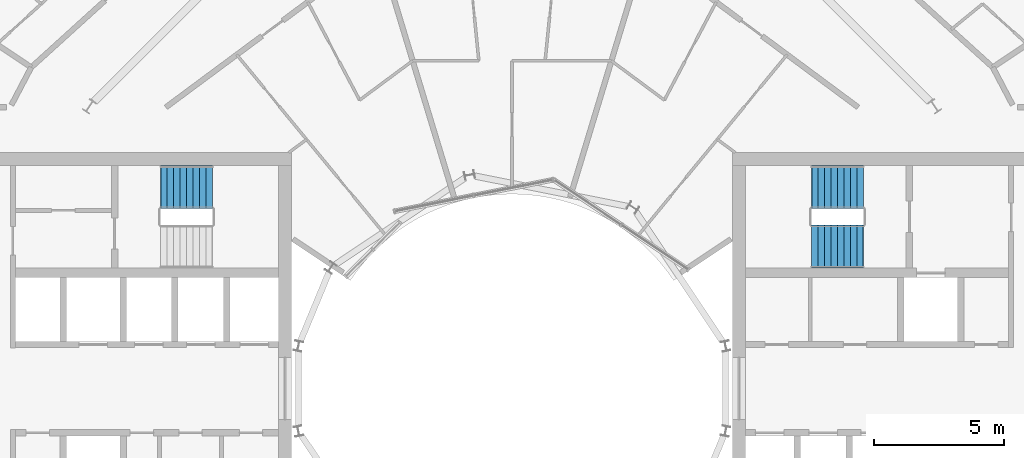
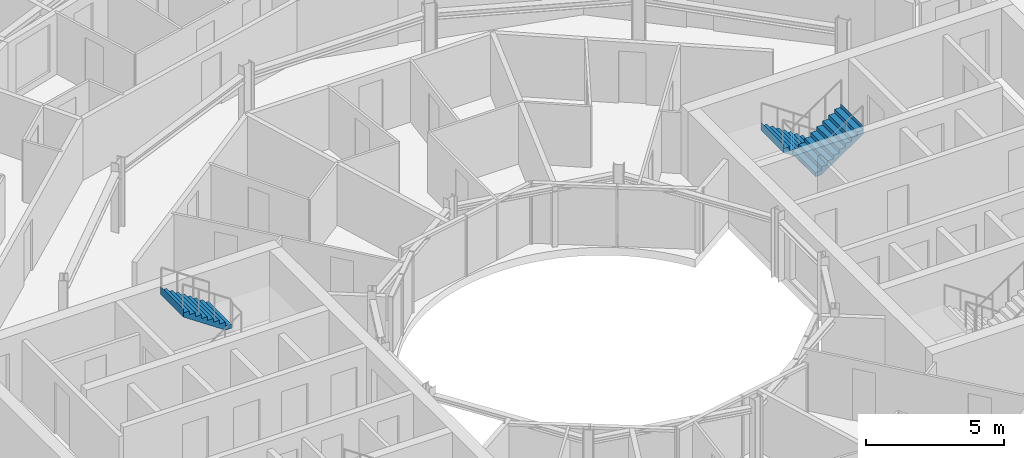
# One storey, part 25 of 26: 3 stair flights, 2 elements without a shape of their own.
"""IFC4 building model written with IfcOpenShell, lengths in metres."""

from ifc_helpers import new_model, si_unit, direction, frame, origin, place, context, subcontext, project, spatial, triangles, material, type_object, element, aggregate, save


model = new_model("IFC4")

# Units and contexts
model_context = context("Model", 3, precision=1e-05, world=origin(), true_north=direction((0.0, 1.0)))
body_context = subcontext(model_context, "Body", "Model", "MODEL_VIEW")
ifc_project = project(units=[si_unit("LENGTHUNIT", "METRE"), si_unit("AREAUNIT", "SQUARE_METRE"), si_unit("VOLUMEUNIT", "CUBIC_METRE"), si_unit("PLANEANGLEUNIT", "RADIAN"), si_unit("MASSUNIT", "GRAM", prefix="KILO")], contexts=[model_context])

# Site, building, storey
site_placement = place(None, origin())
site = spatial("IfcSite", under=ifc_project, at=site_placement, CompositionType="ELEMENT")
building_placement = place(site_placement, origin())
building = spatial("IfcBuilding", under=site, at=building_placement, Name="Maasbend Ring Residences", CompositionType="ELEMENT")
storey_placement = place(building_placement, frame((0.0, 0.0, 154.35009765625)))
storey = spatial("IfcBuildingStorey", under=building, at=storey_placement, Name="L44", CompositionType="ELEMENT", Elevation=154.35009765625)

# Stair, stair flights
ifc_material_1 = material(Name="Concrete C40/50", Category="concrete")
stair_type = type_object("IfcStairType", Name="CORE STAIR 18 RISERS", PredefinedType="HALF_TURN_STAIR", material=ifc_material_1)
stair_1_placement = place(storey_placement, origin())
stair_1 = element("IfcStair", 1, at=stair_1_placement, inside=storey, type_object=stair_type, Name="L44 Exit stair ST-E1", PredefinedType="HALF_TURN_STAIR")
ifc_material_2 = material(Name="Concrete C40/50", Category="concrete")
stair_flight_type = type_object("IfcStairFlightType", Name="CORE STAIR FLIGHT 1650", PredefinedType="STRAIGHT", material=ifc_material_2)
stair_flight_1_placement = place(storey_placement, frame((13.550048828125, 7.77490234375, 0.0), z_axis=(0.0, 0.0, 1.0), x_axis=(-1.0, 0.0, 0.0)))
stair_flight_1 = element("IfcStairFlight", 2, at=stair_flight_1_placement, type_object=stair_flight_type, Name="ST-E1 flight 1", NumberOfRisers=9, NumberOfTreads=8, PredefinedType="STRAIGHT", RiserHeight=0.169444444, TreadLength=0.25, context=body_context, shape_type="Tessellation", body=[
    triangles([(0.24072265625, 0.824951171875, -0.02001953125), (2.0029296875, 0.824951171875, 1.174560546875), (2.0029296875, 0.824951171875, 1.52490234375), (1.989990234375, 0.824951171875, 1.35546875), (1.75, 0.824951171875, 1.35546875), (1.75, 0.824951171875, 1.18603515625), (1.5, 0.824951171875, 1.18603515625), (1.5, 0.824951171875, 1.0166015625), (1.25, 0.824951171875, 1.0166015625), (1.25, 0.824951171875, 0.84716796875), (1.0, 0.824951171875, 0.84716796875), (1.0, 0.824951171875, 0.677734375), (0.75, 0.824951171875, 0.677734375), (0.75, 0.824951171875, 0.50830078125), (0.5, 0.824951171875, 0.50830078125), (0.5, 0.824951171875, 0.3388671875), (0.25, 0.824951171875, 0.3388671875), (0.25, 0.824951171875, 0.16943359375), (0.0, 0.824951171875, 0.16943359375), (0.0, 0.824951171875, 0.0), (-0.0029296875, 0.824951171875, 0.0), (-0.0029296875, 0.824951171875, -0.02001953125), (0.24072265625, 0.27490234375, -0.02001953125), (2.0029296875, 0.27490234375, 1.174560546875), (2.0029296875, 0.27490234375, 1.52490234375), (1.989990234375, 0.27490234375, 1.35546875), (1.75, 0.27490234375, 1.35546875), (1.75, 0.27490234375, 1.18603515625), (1.5, 0.27490234375, 1.18603515625), (1.5, 0.27490234375, 1.0166015625), (1.25, 0.27490234375, 1.0166015625), (1.25, 0.27490234375, 0.84716796875), (1.0, 0.27490234375, 0.84716796875), (1.0, 0.27490234375, 0.677734375), (0.75, 0.27490234375, 0.677734375), (0.75, 0.27490234375, 0.50830078125), (0.5, 0.27490234375, 0.50830078125), (0.5, 0.27490234375, 0.3388671875), (0.25, 0.27490234375, 0.3388671875), (0.25, 0.27490234375, 0.16943359375), (0.0, 0.27490234375, 0.16943359375), (0.0, 0.27490234375, 0.0), (-0.0029296875, 0.27490234375, 0.0), (-0.0029296875, 0.27490234375, -0.02001953125), (0.24072265625, -0.27490234375, -0.02001953125), (2.0029296875, -0.27490234375, 1.174560546875), (2.0029296875, -0.27490234375, 1.52490234375), (1.989990234375, -0.27490234375, 1.35546875), (1.75, -0.27490234375, 1.35546875), (1.75, -0.27490234375, 1.18603515625), (1.5, -0.27490234375, 1.18603515625), (1.5, -0.27490234375, 1.0166015625), (1.25, -0.27490234375, 1.0166015625), (1.25, -0.27490234375, 0.84716796875), (1.0, -0.27490234375, 0.84716796875), (1.0, -0.27490234375, 0.677734375), (0.75, -0.27490234375, 0.677734375), (0.75, -0.27490234375, 0.50830078125), (0.5, -0.27490234375, 0.50830078125), (0.5, -0.27490234375, 0.3388671875), (0.25, -0.27490234375, 0.3388671875), (0.25, -0.27490234375, 0.16943359375), (0.0, -0.27490234375, 0.16943359375), (0.0, -0.27490234375, 0.0), (-0.0029296875, -0.27490234375, 0.0), (-0.0029296875, -0.27490234375, -0.02001953125), (0.24072265625, -0.824951171875, -0.02001953125), (2.0029296875, -0.824951171875, 1.174560546875), (2.0029296875, -0.824951171875, 1.52490234375), (1.989990234375, -0.824951171875, 1.35546875), (1.75, -0.824951171875, 1.35546875), (1.75, -0.824951171875, 1.18603515625), (1.5, -0.824951171875, 1.18603515625), (1.5, -0.824951171875, 1.0166015625), (1.25, -0.824951171875, 1.0166015625), (1.25, -0.824951171875, 0.84716796875), (1.0, -0.824951171875, 0.84716796875), (1.0, -0.824951171875, 0.677734375), (0.75, -0.824951171875, 0.677734375), (0.75, -0.824951171875, 0.50830078125), (0.5, -0.824951171875, 0.50830078125), (0.5, -0.824951171875, 0.3388671875), (0.25, -0.824951171875, 0.3388671875), (0.25, -0.824951171875, 0.16943359375), (0.0, -0.824951171875, 0.16943359375), (0.0, -0.824951171875, 0.0), (-0.0029296875, -0.824951171875, 0.0), (-0.0029296875, -0.824951171875, -0.02001953125)], [[1, 2, 24], [1, 24, 23], [23, 24, 46], [23, 46, 45], [45, 46, 68], [45, 68, 67], [2, 3, 25], [2, 25, 24], [24, 25, 47], [24, 47, 46], [46, 47, 69], [46, 69, 68], [3, 4, 26], [3, 26, 25], [25, 26, 48], [25, 48, 47], [47, 48, 70], [47, 70, 69], [4, 5, 27], [4, 27, 26], [26, 27, 49], [26, 49, 48], [48, 49, 71], [48, 71, 70], [5, 6, 28], [5, 28, 27], [27, 28, 50], [27, 50, 49], [49, 50, 72], [49, 72, 71], [6, 7, 29], [6, 29, 28], [28, 29, 51], [28, 51, 50], [50, 51, 73], [50, 73, 72], [7, 8, 30], [7, 30, 29], [29, 30, 52], [29, 52, 51], [51, 52, 74], [51, 74, 73], [8, 9, 31], [8, 31, 30], [30, 31, 53], [30, 53, 52], [52, 53, 75], [52, 75, 74], [9, 10, 32], [9, 32, 31], [31, 32, 54], [31, 54, 53], [53, 54, 76], [53, 76, 75], [10, 11, 33], [10, 33, 32], [32, 33, 55], [32, 55, 54], [54, 55, 77], [54, 77, 76], [11, 12, 34], [11, 34, 33], [33, 34, 56], [33, 56, 55], [55, 56, 78], [55, 78, 77], [12, 13, 35], [12, 35, 34], [34, 35, 57], [34, 57, 56], [56, 57, 79], [56, 79, 78], [13, 14, 36], [13, 36, 35], [35, 36, 58], [35, 58, 57], [57, 58, 80], [57, 80, 79], [14, 15, 37], [14, 37, 36], [36, 37, 59], [36, 59, 58], [58, 59, 81], [58, 81, 80], [15, 16, 38], [15, 38, 37], [37, 38, 60], [37, 60, 59], [59, 60, 82], [59, 82, 81], [16, 17, 39], [16, 39, 38], [38, 39, 61], [38, 61, 60], [60, 61, 83], [60, 83, 82], [17, 18, 40], [17, 40, 39], [39, 40, 62], [39, 62, 61], [61, 62, 84], [61, 84, 83], [18, 19, 41], [18, 41, 40], [40, 41, 63], [40, 63, 62], [62, 63, 85], [62, 85, 84], [19, 20, 42], [19, 42, 41], [41, 42, 64], [41, 64, 63], [63, 64, 86], [63, 86, 85], [20, 21, 43], [20, 43, 42], [42, 43, 65], [42, 65, 64], [64, 65, 87], [64, 87, 86], [21, 22, 44], [21, 44, 43], [43, 44, 66], [43, 66, 65], [65, 66, 88], [65, 88, 87], [22, 1, 23], [22, 23, 44], [44, 23, 45], [44, 45, 66], [66, 45, 67], [66, 67, 88], [22, 2, 1], [2, 4, 3], [2, 5, 4], [2, 6, 5], [22, 6, 2], [6, 8, 7], [22, 8, 6], [8, 10, 9], [22, 10, 8], [10, 12, 11], [22, 12, 10], [12, 14, 13], [22, 14, 12], [14, 16, 15], [22, 16, 14], [16, 18, 17], [22, 18, 16], [18, 20, 19], [22, 20, 18], [20, 22, 21], [88, 67, 68], [68, 69, 70], [68, 70, 71], [68, 71, 72], [88, 68, 72], [72, 73, 74], [88, 72, 74], [74, 75, 76], [88, 74, 76], [76, 77, 78], [88, 76, 78], [78, 79, 80], [88, 78, 80], [80, 81, 82], [88, 80, 82], [82, 83, 84], [88, 82, 84], [84, 85, 86], [88, 84, 86], [86, 87, 88]], closed=True),
])
stair_flight_2_placement = place(storey_placement, frame((11.550048828125, 5.47509765625, 1.52490234375), z_axis=(0.0, 0.0, 1.0), x_axis=(1.0, 0.0, 0.0)))
stair_flight_2 = element("IfcStairFlight", 3, at=stair_flight_2_placement, type_object=stair_flight_type, Name="ST-E1 flight 2", NumberOfRisers=9, NumberOfTreads=8, PredefinedType="STRAIGHT", RiserHeight=0.169444444, TreadLength=0.25, context=body_context, shape_type="Tessellation", body=[
    triangles([(0.24072265625, 0.824951171875, -0.02001953125), (2.0029296875, 0.824951171875, 1.174560546875), (2.0029296875, 0.824951171875, 1.52490234375), (1.989990234375, 0.824951171875, 1.35546875), (1.75, 0.824951171875, 1.35546875), (1.75, 0.824951171875, 1.18603515625), (1.5, 0.824951171875, 1.18603515625), (1.5, 0.824951171875, 1.0166015625), (1.25, 0.824951171875, 1.0166015625), (1.25, 0.824951171875, 0.84716796875), (1.0, 0.824951171875, 0.84716796875), (1.0, 0.824951171875, 0.677734375), (0.75, 0.824951171875, 0.677734375), (0.75, 0.824951171875, 0.50830078125), (0.5, 0.824951171875, 0.50830078125), (0.5, 0.824951171875, 0.3388671875), (0.25, 0.824951171875, 0.3388671875), (0.25, 0.824951171875, 0.16943359375), (0.0, 0.824951171875, 0.16943359375), (0.0, 0.824951171875, 0.0), (-0.0029296875, 0.824951171875, 0.0), (-0.0029296875, 0.824951171875, -0.02001953125), (0.24072265625, 0.27490234375, -0.02001953125), (2.0029296875, 0.27490234375, 1.174560546875), (2.0029296875, 0.27490234375, 1.52490234375), (1.989990234375, 0.27490234375, 1.35546875), (1.75, 0.27490234375, 1.35546875), (1.75, 0.27490234375, 1.18603515625), (1.5, 0.27490234375, 1.18603515625), (1.5, 0.27490234375, 1.0166015625), (1.25, 0.27490234375, 1.0166015625), (1.25, 0.27490234375, 0.84716796875), (1.0, 0.27490234375, 0.84716796875), (1.0, 0.27490234375, 0.677734375), (0.75, 0.27490234375, 0.677734375), (0.75, 0.27490234375, 0.50830078125), (0.5, 0.27490234375, 0.50830078125), (0.5, 0.27490234375, 0.3388671875), (0.25, 0.27490234375, 0.3388671875), (0.25, 0.27490234375, 0.16943359375), (0.0, 0.27490234375, 0.16943359375), (0.0, 0.27490234375, 0.0), (-0.0029296875, 0.27490234375, 0.0), (-0.0029296875, 0.27490234375, -0.02001953125), (0.24072265625, -0.27490234375, -0.02001953125), (2.0029296875, -0.27490234375, 1.174560546875), (2.0029296875, -0.27490234375, 1.52490234375), (1.989990234375, -0.27490234375, 1.35546875), (1.75, -0.27490234375, 1.35546875), (1.75, -0.27490234375, 1.18603515625), (1.5, -0.27490234375, 1.18603515625), (1.5, -0.27490234375, 1.0166015625), (1.25, -0.27490234375, 1.0166015625), (1.25, -0.27490234375, 0.84716796875), (1.0, -0.27490234375, 0.84716796875), (1.0, -0.27490234375, 0.677734375), (0.75, -0.27490234375, 0.677734375), (0.75, -0.27490234375, 0.50830078125), (0.5, -0.27490234375, 0.50830078125), (0.5, -0.27490234375, 0.3388671875), (0.25, -0.27490234375, 0.3388671875), (0.25, -0.27490234375, 0.16943359375), (0.0, -0.27490234375, 0.16943359375), (0.0, -0.27490234375, 0.0), (-0.0029296875, -0.27490234375, 0.0), (-0.0029296875, -0.27490234375, -0.02001953125), (0.24072265625, -0.824951171875, -0.02001953125), (2.0029296875, -0.824951171875, 1.174560546875), (2.0029296875, -0.824951171875, 1.52490234375), (1.989990234375, -0.824951171875, 1.35546875), (1.75, -0.824951171875, 1.35546875), (1.75, -0.824951171875, 1.18603515625), (1.5, -0.824951171875, 1.18603515625), (1.5, -0.824951171875, 1.0166015625), (1.25, -0.824951171875, 1.0166015625), (1.25, -0.824951171875, 0.84716796875), (1.0, -0.824951171875, 0.84716796875), (1.0, -0.824951171875, 0.677734375), (0.75, -0.824951171875, 0.677734375), (0.75, -0.824951171875, 0.50830078125), (0.5, -0.824951171875, 0.50830078125), (0.5, -0.824951171875, 0.3388671875), (0.25, -0.824951171875, 0.3388671875), (0.25, -0.824951171875, 0.16943359375), (0.0, -0.824951171875, 0.16943359375), (0.0, -0.824951171875, 0.0), (-0.0029296875, -0.824951171875, 0.0), (-0.0029296875, -0.824951171875, -0.02001953125)], [[1, 2, 24], [1, 24, 23], [23, 24, 46], [23, 46, 45], [45, 46, 68], [45, 68, 67], [2, 3, 25], [2, 25, 24], [24, 25, 47], [24, 47, 46], [46, 47, 69], [46, 69, 68], [3, 4, 26], [3, 26, 25], [25, 26, 48], [25, 48, 47], [47, 48, 70], [47, 70, 69], [4, 5, 27], [4, 27, 26], [26, 27, 49], [26, 49, 48], [48, 49, 71], [48, 71, 70], [5, 6, 28], [5, 28, 27], [27, 28, 50], [27, 50, 49], [49, 50, 72], [49, 72, 71], [6, 7, 29], [6, 29, 28], [28, 29, 51], [28, 51, 50], [50, 51, 73], [50, 73, 72], [7, 8, 30], [7, 30, 29], [29, 30, 52], [29, 52, 51], [51, 52, 74], [51, 74, 73], [8, 9, 31], [8, 31, 30], [30, 31, 53], [30, 53, 52], [52, 53, 75], [52, 75, 74], [9, 10, 32], [9, 32, 31], [31, 32, 54], [31, 54, 53], [53, 54, 76], [53, 76, 75], [10, 11, 33], [10, 33, 32], [32, 33, 55], [32, 55, 54], [54, 55, 77], [54, 77, 76], [11, 12, 34], [11, 34, 33], [33, 34, 56], [33, 56, 55], [55, 56, 78], [55, 78, 77], [12, 13, 35], [12, 35, 34], [34, 35, 57], [34, 57, 56], [56, 57, 79], [56, 79, 78], [13, 14, 36], [13, 36, 35], [35, 36, 58], [35, 58, 57], [57, 58, 80], [57, 80, 79], [14, 15, 37], [14, 37, 36], [36, 37, 59], [36, 59, 58], [58, 59, 81], [58, 81, 80], [15, 16, 38], [15, 38, 37], [37, 38, 60], [37, 60, 59], [59, 60, 82], [59, 82, 81], [16, 17, 39], [16, 39, 38], [38, 39, 61], [38, 61, 60], [60, 61, 83], [60, 83, 82], [17, 18, 40], [17, 40, 39], [39, 40, 62], [39, 62, 61], [61, 62, 84], [61, 84, 83], [18, 19, 41], [18, 41, 40], [40, 41, 63], [40, 63, 62], [62, 63, 85], [62, 85, 84], [19, 20, 42], [19, 42, 41], [41, 42, 64], [41, 64, 63], [63, 64, 86], [63, 86, 85], [20, 21, 43], [20, 43, 42], [42, 43, 65], [42, 65, 64], [64, 65, 87], [64, 87, 86], [21, 22, 44], [21, 44, 43], [43, 44, 66], [43, 66, 65], [65, 66, 88], [65, 88, 87], [22, 1, 23], [22, 23, 44], [44, 23, 45], [44, 45, 66], [66, 45, 67], [66, 67, 88], [22, 2, 1], [2, 4, 3], [2, 5, 4], [2, 6, 5], [22, 6, 2], [6, 8, 7], [22, 8, 6], [8, 10, 9], [22, 10, 8], [10, 12, 11], [22, 12, 10], [12, 14, 13], [22, 14, 12], [14, 16, 15], [22, 16, 14], [16, 18, 17], [22, 18, 16], [18, 20, 19], [22, 20, 18], [20, 22, 21], [88, 67, 68], [68, 69, 70], [68, 70, 71], [68, 71, 72], [88, 68, 72], [72, 73, 74], [88, 72, 74], [74, 75, 76], [88, 74, 76], [76, 77, 78], [88, 76, 78], [78, 79, 80], [88, 78, 80], [80, 81, 82], [88, 80, 82], [82, 83, 84], [88, 82, 84], [84, 85, 86], [88, 84, 86], [86, 87, 88]], closed=True),
])
aggregate(stair_1, [stair_flight_1, stair_flight_2])

# Stair, stair flight
stair_2_placement = place(storey_placement, origin())
stair_2 = element("IfcStair", 4, at=stair_2_placement, inside=storey, type_object=stair_type, Name="L44 Exit stair ST-W2", PredefinedType="HALF_TURN_STAIR")
stair_flight_3_placement = place(storey_placement, frame((-11.550048828125, 7.77490234375, 1.52490234375), z_axis=(0.0, 0.0, 1.0), x_axis=(-1.0, 0.0, 0.0)))
stair_flight_3 = element("IfcStairFlight", 5, at=stair_flight_3_placement, type_object=stair_flight_type, Name="ST-W2 flight 2", NumberOfRisers=9, NumberOfTreads=8, PredefinedType="STRAIGHT", RiserHeight=0.169444444, TreadLength=0.25, context=body_context, shape_type="Tessellation", body=[
    triangles([(0.24072265625, 0.824951171875, -0.02001953125), (2.0029296875, 0.824951171875, 1.174560546875), (2.0029296875, 0.824951171875, 1.52490234375), (1.989990234375, 0.824951171875, 1.35546875), (1.75, 0.824951171875, 1.35546875), (1.75, 0.824951171875, 1.18603515625), (1.5, 0.824951171875, 1.18603515625), (1.5, 0.824951171875, 1.0166015625), (1.25, 0.824951171875, 1.0166015625), (1.25, 0.824951171875, 0.84716796875), (1.0, 0.824951171875, 0.84716796875), (1.0, 0.824951171875, 0.677734375), (0.75, 0.824951171875, 0.677734375), (0.75, 0.824951171875, 0.50830078125), (0.5, 0.824951171875, 0.50830078125), (0.5, 0.824951171875, 0.3388671875), (0.25, 0.824951171875, 0.3388671875), (0.25, 0.824951171875, 0.16943359375), (0.0, 0.824951171875, 0.16943359375), (0.0, 0.824951171875, 0.0), (-0.0029296875, 0.824951171875, 0.0), (-0.0029296875, 0.824951171875, -0.02001953125), (0.24072265625, 0.27490234375, -0.02001953125), (2.0029296875, 0.27490234375, 1.174560546875), (2.0029296875, 0.27490234375, 1.52490234375), (1.989990234375, 0.27490234375, 1.35546875), (1.75, 0.27490234375, 1.35546875), (1.75, 0.27490234375, 1.18603515625), (1.5, 0.27490234375, 1.18603515625), (1.5, 0.27490234375, 1.0166015625), (1.25, 0.27490234375, 1.0166015625), (1.25, 0.27490234375, 0.84716796875), (1.0, 0.27490234375, 0.84716796875), (1.0, 0.27490234375, 0.677734375), (0.75, 0.27490234375, 0.677734375), (0.75, 0.27490234375, 0.50830078125), (0.5, 0.27490234375, 0.50830078125), (0.5, 0.27490234375, 0.3388671875), (0.25, 0.27490234375, 0.3388671875), (0.25, 0.27490234375, 0.16943359375), (0.0, 0.27490234375, 0.16943359375), (0.0, 0.27490234375, 0.0), (-0.0029296875, 0.27490234375, 0.0), (-0.0029296875, 0.27490234375, -0.02001953125), (0.24072265625, -0.27490234375, -0.02001953125), (2.0029296875, -0.27490234375, 1.174560546875), (2.0029296875, -0.27490234375, 1.52490234375), (1.989990234375, -0.27490234375, 1.35546875), (1.75, -0.27490234375, 1.35546875), (1.75, -0.27490234375, 1.18603515625), (1.5, -0.27490234375, 1.18603515625), (1.5, -0.27490234375, 1.0166015625), (1.25, -0.27490234375, 1.0166015625), (1.25, -0.27490234375, 0.84716796875), (1.0, -0.27490234375, 0.84716796875), (1.0, -0.27490234375, 0.677734375), (0.75, -0.27490234375, 0.677734375), (0.75, -0.27490234375, 0.50830078125), (0.5, -0.27490234375, 0.50830078125), (0.5, -0.27490234375, 0.3388671875), (0.25, -0.27490234375, 0.3388671875), (0.25, -0.27490234375, 0.16943359375), (0.0, -0.27490234375, 0.16943359375), (0.0, -0.27490234375, 0.0), (-0.0029296875, -0.27490234375, 0.0), (-0.0029296875, -0.27490234375, -0.02001953125), (0.24072265625, -0.824951171875, -0.02001953125), (2.0029296875, -0.824951171875, 1.174560546875), (2.0029296875, -0.824951171875, 1.52490234375), (1.989990234375, -0.824951171875, 1.35546875), (1.75, -0.824951171875, 1.35546875), (1.75, -0.824951171875, 1.18603515625), (1.5, -0.824951171875, 1.18603515625), (1.5, -0.824951171875, 1.0166015625), (1.25, -0.824951171875, 1.0166015625), (1.25, -0.824951171875, 0.84716796875), (1.0, -0.824951171875, 0.84716796875), (1.0, -0.824951171875, 0.677734375), (0.75, -0.824951171875, 0.677734375), (0.75, -0.824951171875, 0.50830078125), (0.5, -0.824951171875, 0.50830078125), (0.5, -0.824951171875, 0.3388671875), (0.25, -0.824951171875, 0.3388671875), (0.25, -0.824951171875, 0.16943359375), (0.0, -0.824951171875, 0.16943359375), (0.0, -0.824951171875, 0.0), (-0.0029296875, -0.824951171875, 0.0), (-0.0029296875, -0.824951171875, -0.02001953125)], [[1, 2, 24], [1, 24, 23], [23, 24, 46], [23, 46, 45], [45, 46, 68], [45, 68, 67], [2, 3, 25], [2, 25, 24], [24, 25, 47], [24, 47, 46], [46, 47, 69], [46, 69, 68], [3, 4, 26], [3, 26, 25], [25, 26, 48], [25, 48, 47], [47, 48, 70], [47, 70, 69], [4, 5, 27], [4, 27, 26], [26, 27, 49], [26, 49, 48], [48, 49, 71], [48, 71, 70], [5, 6, 28], [5, 28, 27], [27, 28, 50], [27, 50, 49], [49, 50, 72], [49, 72, 71], [6, 7, 29], [6, 29, 28], [28, 29, 51], [28, 51, 50], [50, 51, 73], [50, 73, 72], [7, 8, 30], [7, 30, 29], [29, 30, 52], [29, 52, 51], [51, 52, 74], [51, 74, 73], [8, 9, 31], [8, 31, 30], [30, 31, 53], [30, 53, 52], [52, 53, 75], [52, 75, 74], [9, 10, 32], [9, 32, 31], [31, 32, 54], [31, 54, 53], [53, 54, 76], [53, 76, 75], [10, 11, 33], [10, 33, 32], [32, 33, 55], [32, 55, 54], [54, 55, 77], [54, 77, 76], [11, 12, 34], [11, 34, 33], [33, 34, 56], [33, 56, 55], [55, 56, 78], [55, 78, 77], [12, 13, 35], [12, 35, 34], [34, 35, 57], [34, 57, 56], [56, 57, 79], [56, 79, 78], [13, 14, 36], [13, 36, 35], [35, 36, 58], [35, 58, 57], [57, 58, 80], [57, 80, 79], [14, 15, 37], [14, 37, 36], [36, 37, 59], [36, 59, 58], [58, 59, 81], [58, 81, 80], [15, 16, 38], [15, 38, 37], [37, 38, 60], [37, 60, 59], [59, 60, 82], [59, 82, 81], [16, 17, 39], [16, 39, 38], [38, 39, 61], [38, 61, 60], [60, 61, 83], [60, 83, 82], [17, 18, 40], [17, 40, 39], [39, 40, 62], [39, 62, 61], [61, 62, 84], [61, 84, 83], [18, 19, 41], [18, 41, 40], [40, 41, 63], [40, 63, 62], [62, 63, 85], [62, 85, 84], [19, 20, 42], [19, 42, 41], [41, 42, 64], [41, 64, 63], [63, 64, 86], [63, 86, 85], [20, 21, 43], [20, 43, 42], [42, 43, 65], [42, 65, 64], [64, 65, 87], [64, 87, 86], [21, 22, 44], [21, 44, 43], [43, 44, 66], [43, 66, 65], [65, 66, 88], [65, 88, 87], [22, 1, 23], [22, 23, 44], [44, 23, 45], [44, 45, 66], [66, 45, 67], [66, 67, 88], [22, 2, 1], [2, 4, 3], [2, 5, 4], [2, 6, 5], [22, 6, 2], [6, 8, 7], [22, 8, 6], [8, 10, 9], [22, 10, 8], [10, 12, 11], [22, 12, 10], [12, 14, 13], [22, 14, 12], [14, 16, 15], [22, 16, 14], [16, 18, 17], [22, 18, 16], [18, 20, 19], [22, 20, 18], [20, 22, 21], [88, 67, 68], [68, 69, 70], [68, 70, 71], [68, 71, 72], [88, 68, 72], [72, 73, 74], [88, 72, 74], [74, 75, 76], [88, 74, 76], [76, 77, 78], [88, 76, 78], [78, 79, 80], [88, 78, 80], [80, 81, 82], [88, 80, 82], [82, 83, 84], [88, 82, 84], [84, 85, 86], [88, 84, 86], [86, 87, 88]], closed=True),
])
aggregate(stair_2, [stair_flight_3])

save(model, "model.ifc")
